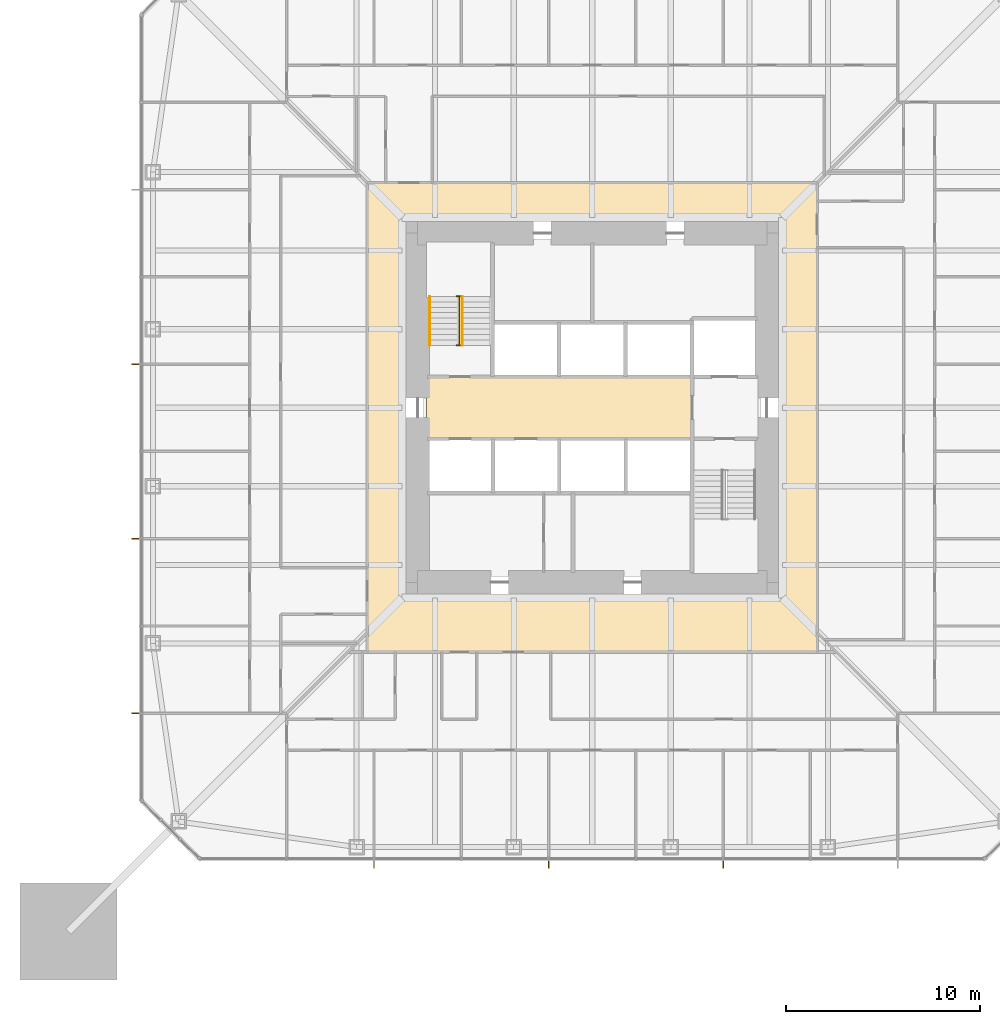
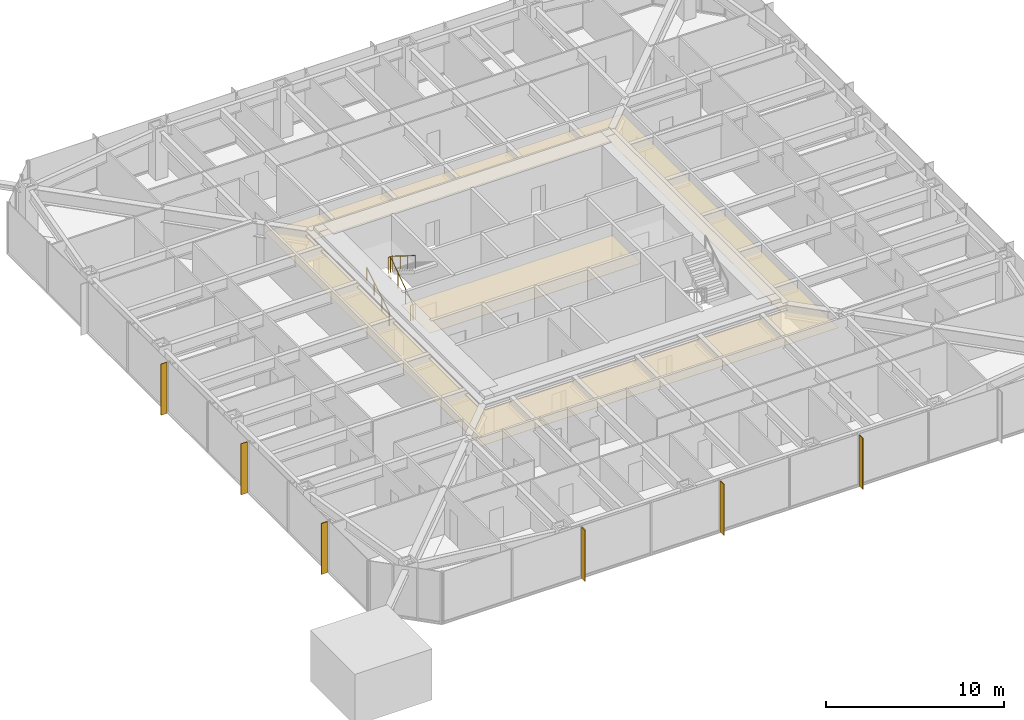
# One storey, part 23 of 26: 6 shading devices, 3 railings, 2 coverings.
"""IFC4 building model written with IfcOpenShell, lengths in metres."""

from ifc_helpers import new_model, si_unit, direction, frame, origin, origin_2d, place, context, subcontext, project, spatial, polyline, rectangle, circle, outline, extrude, material, layer, layer_set, constituent, constituent_set, type_object, element, save


model = new_model("IFC4")

# Units and contexts
model_context = context("Model", 3, precision=1e-05, world=origin(), true_north=direction((0.0, 1.0)))
body_context = subcontext(model_context, "Body", "Model", "MODEL_VIEW")
ifc_project = project(units=[si_unit("LENGTHUNIT", "METRE"), si_unit("AREAUNIT", "SQUARE_METRE"), si_unit("VOLUMEUNIT", "CUBIC_METRE"), si_unit("PLANEANGLEUNIT", "RADIAN"), si_unit("MASSUNIT", "GRAM", prefix="KILO")], contexts=[model_context])

# Site, building, storey
site_placement = place(None, origin())
site = spatial("IfcSite", under=ifc_project, at=site_placement, CompositionType="ELEMENT")
building_placement = place(site_placement, origin())
building = spatial("IfcBuilding", under=site, at=building_placement, Name="Iwan Alto Co-Living Towers", CompositionType="ELEMENT")
storey_placement = place(building_placement, frame((0.0, 0.0, 18.5)))
storey = spatial("IfcBuildingStorey", under=building, at=storey_placement, Name="L04", CompositionType="ELEMENT", Elevation=18.5)

# Covering
ifc_material_1 = material(Name="Mineral fibre acoustic tiles on steel grid", Category="steel")
ifc_layer_1 = layer(ifc_material_1, 0.02001953125)
ifc_layer_set_1 = layer_set([ifc_layer_1], Name="ACOUSTIC TILE CEILING 20")
covering_type_1 = type_object("IfcCoveringType", Name="ACOUSTIC TILE CEILING 20", PredefinedType="CEILING", material=ifc_layer_set_1)
covering_1_placement = place(storey_placement, frame((0.0, 0.0, 2.60009765625)))
element("IfcCovering", 1, at=covering_1_placement, inside=storey, type_object=covering_type_1, Name="Ceiling Lift lobby L04", PredefinedType="CEILING", context=body_context, shape_type="SweptSolid", body=[
    extrude(outline(polyline([(-8.550048828125, -1.60009765625), (-8.550048828125, 1.60009765625), (5.14990234375, 1.60009765625), (5.14990234375, -1.60009765625), (-8.550048828125, -1.60009765625)])), origin(), (0.0, 0.0, 1.0), 0.02001953125),
])

# Shading devices
ifc_material_2 = material(Name="Aluminium 6063-T6 bronze anodised", Category="aluminium")
ifc_layer_2 = layer(ifc_material_2, 0.050048828125)
ifc_layer_set_2 = layer_set([ifc_layer_2], Name="BRONZE FIN 50X400")
shading_device_type = type_object("IfcShadingDeviceType", Name="BRONZE FIN 50X400", PredefinedType="USERDEFINED", material=ifc_layer_set_2)
for number, where, z_axis, x_axis, name in (
    (2, (-11.25, -23.550048828125, 0.0), (0.0, 0.0, 1.0), (1.0, 0.0, 0.0), "Bronze fin L04"),
    (3, (-2.25, -23.550048828125, 0.0), (0.0, 0.0, 1.0), (1.0, 0.0, 0.0), "Bronze fin L04"),
    (4, (6.75, -23.550048828125, 0.0), (0.0, 0.0, 1.0), (1.0, 0.0, 0.0), "Bronze fin L04"),
    (5, (-23.550048828125, 2.25, 0.0), (0.0, 0.0, 1.0), (0.0, -1.0, 0.0), "Bronze fin L04"),
    (6, (-23.550048828125, -6.75, 0.0), (0.0, 0.0, 1.0), (0.0, -1.0, 0.0), "Bronze fin L04"),
    (7, (-23.550048828125, -15.75, 0.0), (0.0, 0.0, 1.0), (0.0, -1.0, 0.0), "Bronze fin L04"),
):
    element("IfcShadingDevice", number, at=place(storey_placement, frame(where, z_axis=z_axis, x_axis=x_axis)), inside=storey, type_object=shading_device_type, Name=name, ObjectType="LOUVER", PredefinedType="USERDEFINED", context=body_context, shape_type="SweptSolid", body=[
        extrude(rectangle(XDim=0.050048828125, YDim=0.39990234375, at=origin_2d()), origin(), (0.0, 0.0, 1.0), 3.5),
    ])

# Railings
ifc_material_3 = material(Name="Steel ASTM A500 Gr C", Category="steel")
ifc_constituent_1 = constituent(ifc_material_3, Name="Rails and posts", Category="Framing")
ifc_material_4 = material(Name="Steel ASTM A36", Category="steel")
ifc_constituent_2 = constituent(ifc_material_4, Name="Bar infill", Category="Infill")
ifc_constituent_set = constituent_set(constituents=[ifc_constituent_1, ifc_constituent_2], Name="STAIR GUARD 1100")
railing_type_1 = type_object("IfcRailingType", Name="STAIR GUARD 1100", PredefinedType="GUARDRAIL", material=ifc_constituent_set)
railing_1_placement = place(storey_placement, frame((-6.85009765625, 3.219970703125, 0.0)))
element("IfcRailing", 8, at=railing_1_placement, inside=storey, type_object=railing_type_1, Name="Stair T1-S1 well guard L04", PredefinedType="GUARDRAIL", context=body_context, shape_type="SweptSolid", body=[
    extrude(circle(Radius=0.02392578125, at=origin_2d()), frame((0.0, 0.0, 1.076171875), z_axis=(0.0, 0.821372036852, 0.570392826987), x_axis=(-1.0, 0.0, 0.0)), (0.0, 0.0, 1.0), 3.068115234375),
    extrude(circle(Radius=0.02392578125, at=origin_2d()), frame((-0.14990234375, 0.0, 1.076171875), z_axis=(1.0, 0.0, 0.0), x_axis=(0.0, 1.0, 0.0)), (0.0, 0.0, 1.0), 0.300048828125),
    extrude(circle(Radius=0.02392578125, at=origin_2d()), frame((-0.14990234375, 2.52001953125, 2.826171875), z_axis=(1.0, 0.0, 0.0), x_axis=(0.0, 1.0, 0.0)), (0.0, 0.0, 1.0), 0.300048828125),
    extrude(circle(Radius=0.02099609375, at=origin_2d()), origin(), (0.0, 0.0, 1.0), 1.052001953125),
    extrude(circle(Radius=0.02099609375, at=origin_2d()), frame((0.0, 0.840087890625, 0.583251953125)), (0.0, 0.0, 1.0), 1.052001953125),
    extrude(circle(Radius=0.02099609375, at=origin_2d()), frame((0.0, 1.679931640625, 1.166748046875)), (0.0, 0.0, 1.0), 1.052001953125),
    extrude(circle(Radius=0.02099609375, at=origin_2d()), frame((0.0, 2.52001953125, 1.75)), (0.0, 0.0, 1.0), 1.052001953125),
    extrude(circle(Radius=0.02099609375, at=origin_2d()), frame((-0.14990234375, 0.0, 0.0)), (0.0, 0.0, 1.0), 1.052001953125),
    extrude(circle(Radius=0.02099609375, at=origin_2d()), frame((0.150146484375, 0.0, 0.0)), (0.0, 0.0, 1.0), 1.052001953125),
    extrude(circle(Radius=0.02099609375, at=origin_2d()), frame((-0.14990234375, 2.52001953125, 1.75)), (0.0, 0.0, 1.0), 1.052001953125),
    extrude(circle(Radius=0.02099609375, at=origin_2d()), frame((0.150146484375, 2.52001953125, 1.75)), (0.0, 0.0, 1.0), 1.052001953125),
])
ifc_material_5 = material(Name="Steel ASTM A500 Gr C", Category="steel")
railing_type_2 = type_object("IfcRailingType", Name="STAIR HANDRAIL 900", PredefinedType="HANDRAIL", material=ifc_material_5)
railing_2_placement = place(storey_placement, frame((-8.3798828125, 3.219970703125, 0.175048828125)))
element("IfcRailing", 9, at=railing_2_placement, inside=storey, type_object=railing_type_2, Name="Stair T1-S1 handrail 1 L04", PredefinedType="HANDRAIL", context=body_context, shape_type="SweptSolid", body=[
    extrude(circle(Radius=0.02392578125, at=origin_2d()), frame((0.0, 0.0, 0.8759765625), z_axis=(0.0, 0.848007534815, 0.529984170421), x_axis=(-1.0, 0.0, 0.0)), (0.0, 0.0, 1.0), 2.9716796875),
    extrude(circle(Radius=0.02099609375, at=origin_2d()), origin(), (0.0, 0.0, 1.0), 0.851806640625),
    extrude(circle(Radius=0.02099609375, at=origin_2d()), frame((0.0, 0.840087890625, 0.52490234375)), (0.0, 0.0, 1.0), 0.851806640625),
    extrude(circle(Radius=0.02099609375, at=origin_2d()), frame((0.0, 1.679931640625, 1.050048828125)), (0.0, 0.0, 1.0), 0.851806640625),
    extrude(circle(Radius=0.02099609375, at=origin_2d()), frame((0.0, 2.52001953125, 1.574951171875)), (0.0, 0.0, 1.0), 0.851806640625),
])
railing_3_placement = place(storey_placement, frame((-6.699951171875, 5.739990234375, 1.925048828125)))
element("IfcRailing", 10, at=railing_3_placement, inside=storey, type_object=railing_type_2, Name="Stair T1-S1 handrail 2 L04", PredefinedType="HANDRAIL", context=body_context, shape_type="SweptSolid", body=[
    extrude(circle(Radius=0.02392578125, at=origin_2d()), frame((0.0, 0.0, 0.8759765625), z_axis=(0.0, -0.848007534815, 0.529984170421), x_axis=(1.0, 0.0, 0.0)), (0.0, 0.0, 1.0), 2.9716796875),
    extrude(circle(Radius=0.02099609375, at=origin_2d()), origin(), (0.0, 0.0, 1.0), 0.851806640625),
    extrude(circle(Radius=0.02099609375, at=origin_2d()), frame((0.0, -0.840087890625, 0.52490234375)), (0.0, 0.0, 1.0), 0.851806640625),
    extrude(circle(Radius=0.02099609375, at=origin_2d()), frame((0.0, -1.679931640625, 1.050048828125)), (0.0, 0.0, 1.0), 0.851806640625),
    extrude(circle(Radius=0.02099609375, at=origin_2d()), frame((0.0, -2.52001953125, 1.574951171875)), (0.0, 0.0, 1.0), 0.851806640625),
])

# Covering
ifc_material_6 = material(Name="Gypsum plasterboard on steel grid", Category="steel")
ifc_layer_3 = layer(ifc_material_6, 0.014892578125)
ifc_layer_set_3 = layer_set([ifc_layer_3], Name="SUSPENDED PLASTERBOARD CEILING 15")
covering_type_2 = type_object("IfcCoveringType", Name="SUSPENDED PLASTERBOARD CEILING 15", PredefinedType="CEILING", material=ifc_layer_set_3)
covering_2_placement = place(storey_placement, frame((0.0, 0.0, 2.60009765625)))
element("IfcCovering", 11, at=covering_2_placement, inside=storey, type_object=covering_type_2, Name="Ceiling Corridor L04", PredefinedType="CEILING", context=body_context, shape_type="SweptSolid", body=[
    extrude(outline(polyline([(-11.60009765625, 11.60009765625), (11.60009765625, 11.60009765625), (11.60009765625, -12.60009765625), (-11.60009765625, -12.60009765625), (-11.60009765625, 11.60009765625)]), holes=[polyline([(-9.60009765625, 9.60009765625), (-9.60009765625, -9.60009765625), (9.60009765625, -9.60009765625), (9.60009765625, 9.60009765625), (-9.60009765625, 9.60009765625)])]), origin(), (0.0, 0.0, 1.0), 0.014892578125),
])

save(model, "model.ifc")
